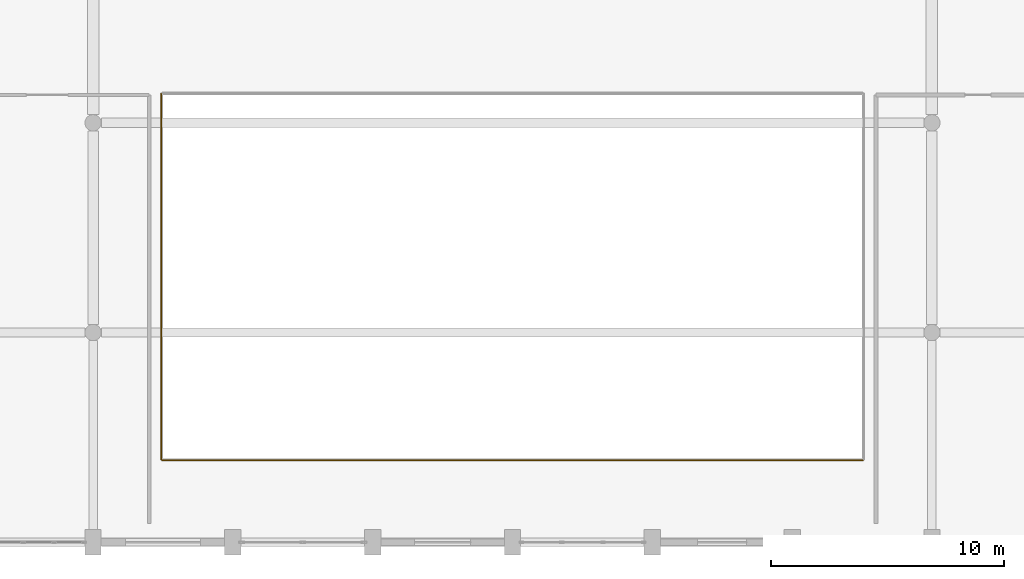
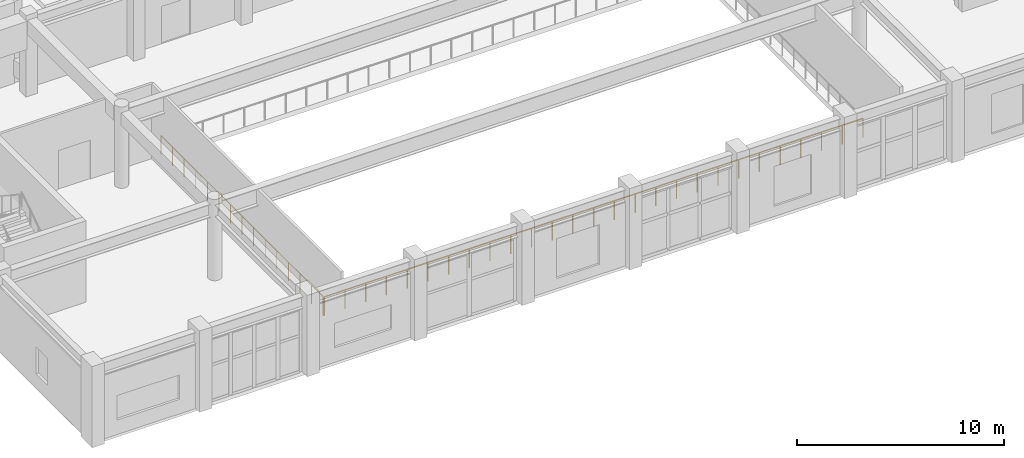
# One storey, part 74 of 85: 2 railings.
"""IFC4 building model written with IfcOpenShell, lengths in metres."""

from ifc_helpers import new_model, si_unit, direction, frame, origin, origin_2d, place, context, subcontext, project, spatial, circle, extrude, material, type_object, element, save


model = new_model("IFC4")

# Units and contexts
model_context = context("Model", 3, precision=1e-05, world=origin(), true_north=direction((0.0, 1.0)))
body_context = subcontext(model_context, "Body", "Model", "MODEL_VIEW")
ifc_project = project(units=[si_unit("LENGTHUNIT", "METRE"), si_unit("AREAUNIT", "SQUARE_METRE"), si_unit("VOLUMEUNIT", "CUBIC_METRE"), si_unit("PLANEANGLEUNIT", "RADIAN"), si_unit("MASSUNIT", "GRAM", prefix="KILO")], contexts=[model_context])

# Site, building, storey
site_placement = place(None, origin())
site = spatial("IfcSite", under=ifc_project, at=site_placement, CompositionType="ELEMENT")
building_placement = place(site_placement, origin())
building = spatial("IfcBuilding", under=site, at=building_placement, Name="Vaelkrest Opera House", CompositionType="ELEMENT")
storey_placement = place(building_placement, frame((0.0, 0.0, 10.199951171875)))
storey = spatial("IfcBuildingStorey", under=building, at=storey_placement, Name="L02", CompositionType="ELEMENT", Elevation=10.199951171875)

# Railings
ifc_material = material(Name="Dark bronze anodized aluminium", Category="aluminium")
railing_type = type_object("IfcRailingType", Name="BL01", PredefinedType="BALUSTRADE", material=ifc_material)
railing_1_placement = place(storey_placement, frame((-15.0400390625, -52.280029296875, 0.0)))
element("IfcRailing", 1, at=railing_1_placement, inside=storey, type_object=railing_type, Name="Atrium/stage void guard V1 L02-2 seg 1", PredefinedType="BALUSTRADE", context=body_context, shape_type="SweptSolid", body=[
    extrude(circle(Radius=0.02392578125, at=origin_2d()), frame((0.0, 0.0, 1.09619140625), z_axis=(1.0, 0.0, 0.0), x_axis=(0.0, 1.0, 0.0)), (0.0, 0.0, 1.0), 30.080078125),
    extrude(circle(Radius=0.02099609375, at=origin_2d()), origin(), (0.0, 0.0, 1.0), 1.072021484375),
    extrude(circle(Radius=0.02099609375, at=origin_2d()), frame((1.156982421875, 0.0, 0.0)), (0.0, 0.0, 1.0), 1.072021484375),
    extrude(circle(Radius=0.02099609375, at=origin_2d()), frame((2.31396484375, 0.0, 0.0)), (0.0, 0.0, 1.0), 1.072021484375),
    extrude(circle(Radius=0.02099609375, at=origin_2d()), frame((3.470703125, 0.0, 0.0)), (0.0, 0.0, 1.0), 1.072021484375),
    extrude(circle(Radius=0.02099609375, at=origin_2d()), frame((4.627685546875, 0.0, 0.0)), (0.0, 0.0, 1.0), 1.072021484375),
    extrude(circle(Radius=0.02099609375, at=origin_2d()), frame((5.78466796875, 0.0, 0.0)), (0.0, 0.0, 1.0), 1.072021484375),
    extrude(circle(Radius=0.02099609375, at=origin_2d()), frame((6.941650390625, 0.0, 0.0)), (0.0, 0.0, 1.0), 1.072021484375),
    extrude(circle(Radius=0.02099609375, at=origin_2d()), frame((8.098388671875, 0.0, 0.0)), (0.0, 0.0, 1.0), 1.072021484375),
    extrude(circle(Radius=0.02099609375, at=origin_2d()), frame((9.25537109375, 0.0, 0.0)), (0.0, 0.0, 1.0), 1.072021484375),
    extrude(circle(Radius=0.02099609375, at=origin_2d()), frame((10.412353515625, 0.0, 0.0)), (0.0, 0.0, 1.0), 1.072021484375),
    extrude(circle(Radius=0.02099609375, at=origin_2d()), frame((11.5693359375, 0.0, 0.0)), (0.0, 0.0, 1.0), 1.072021484375),
    extrude(circle(Radius=0.02099609375, at=origin_2d()), frame((12.72607421875, 0.0, 0.0)), (0.0, 0.0, 1.0), 1.072021484375),
    extrude(circle(Radius=0.02099609375, at=origin_2d()), frame((13.883056640625, 0.0, 0.0)), (0.0, 0.0, 1.0), 1.072021484375),
    extrude(circle(Radius=0.02099609375, at=origin_2d()), frame((15.0400390625, 0.0, 0.0)), (0.0, 0.0, 1.0), 1.072021484375),
    extrude(circle(Radius=0.02099609375, at=origin_2d()), frame((16.197021484375, 0.0, 0.0)), (0.0, 0.0, 1.0), 1.072021484375),
    extrude(circle(Radius=0.02099609375, at=origin_2d()), frame((17.35400390625, 0.0, 0.0)), (0.0, 0.0, 1.0), 1.072021484375),
    extrude(circle(Radius=0.02099609375, at=origin_2d()), frame((18.5107421875, 0.0, 0.0)), (0.0, 0.0, 1.0), 1.072021484375),
    extrude(circle(Radius=0.02099609375, at=origin_2d()), frame((19.667724609375, 0.0, 0.0)), (0.0, 0.0, 1.0), 1.072021484375),
    extrude(circle(Radius=0.02099609375, at=origin_2d()), frame((20.82470703125, 0.0, 0.0)), (0.0, 0.0, 1.0), 1.072021484375),
    extrude(circle(Radius=0.02099609375, at=origin_2d()), frame((21.981689453125, 0.0, 0.0)), (0.0, 0.0, 1.0), 1.072021484375),
    extrude(circle(Radius=0.02099609375, at=origin_2d()), frame((23.138427734375, 0.0, 0.0)), (0.0, 0.0, 1.0), 1.072021484375),
    extrude(circle(Radius=0.02099609375, at=origin_2d()), frame((24.29541015625, 0.0, 0.0)), (0.0, 0.0, 1.0), 1.072021484375),
    extrude(circle(Radius=0.02099609375, at=origin_2d()), frame((25.452392578125, 0.0, 0.0)), (0.0, 0.0, 1.0), 1.072021484375),
    extrude(circle(Radius=0.02099609375, at=origin_2d()), frame((26.609375, 0.0, 0.0)), (0.0, 0.0, 1.0), 1.072021484375),
    extrude(circle(Radius=0.02099609375, at=origin_2d()), frame((27.76611328125, 0.0, 0.0)), (0.0, 0.0, 1.0), 1.072021484375),
    extrude(circle(Radius=0.02099609375, at=origin_2d()), frame((28.923095703125, 0.0, 0.0)), (0.0, 0.0, 1.0), 1.072021484375),
    extrude(circle(Radius=0.02099609375, at=origin_2d()), frame((30.080078125, 0.0, 0.0)), (0.0, 0.0, 1.0), 1.072021484375),
])
railing_2_placement = place(storey_placement, frame((-15.080078125, -36.56005859375, 0.0)))
element("IfcRailing", 2, at=railing_2_placement, inside=storey, type_object=railing_type, Name="Atrium/stage void guard V1 L02-2 seg 4", PredefinedType="BALUSTRADE", context=body_context, shape_type="SweptSolid", body=[
    extrude(circle(Radius=0.02392578125, at=origin_2d()), frame((0.0, 0.0, 1.09619140625), z_axis=(0.0, -1.0, 0.0), x_axis=(1.0, 0.0, 0.0)), (0.0, 0.0, 1.0), 15.679931640625),
    extrude(circle(Radius=0.02099609375, at=origin_2d()), origin(), (0.0, 0.0, 1.0), 1.072021484375),
    extrude(circle(Radius=0.02099609375, at=origin_2d()), frame((0.0, -1.1201171875, 0.0)), (0.0, 0.0, 1.0), 1.072021484375),
    extrude(circle(Radius=0.02099609375, at=origin_2d()), frame((0.0, -2.239990234375, 0.0)), (0.0, 0.0, 1.0), 1.072021484375),
    extrude(circle(Radius=0.02099609375, at=origin_2d()), frame((0.0, -3.35986328125, 0.0)), (0.0, 0.0, 1.0), 1.072021484375),
    extrude(circle(Radius=0.02099609375, at=origin_2d()), frame((0.0, -4.47998046875, 0.0)), (0.0, 0.0, 1.0), 1.072021484375),
    extrude(circle(Radius=0.02099609375, at=origin_2d()), frame((0.0, -5.60009765625, 0.0)), (0.0, 0.0, 1.0), 1.072021484375),
    extrude(circle(Radius=0.02099609375, at=origin_2d()), frame((0.0, -6.719970703125, 0.0)), (0.0, 0.0, 1.0), 1.072021484375),
    extrude(circle(Radius=0.02099609375, at=origin_2d()), frame((0.0, -7.83984375, 0.0)), (0.0, 0.0, 1.0), 1.072021484375),
    extrude(circle(Radius=0.02099609375, at=origin_2d()), frame((0.0, -8.9599609375, 0.0)), (0.0, 0.0, 1.0), 1.072021484375),
    extrude(circle(Radius=0.02099609375, at=origin_2d()), frame((0.0, -10.080078125, 0.0)), (0.0, 0.0, 1.0), 1.072021484375),
    extrude(circle(Radius=0.02099609375, at=origin_2d()), frame((0.0, -11.199951171875, 0.0)), (0.0, 0.0, 1.0), 1.072021484375),
    extrude(circle(Radius=0.02099609375, at=origin_2d()), frame((0.0, -12.31982421875, 0.0)), (0.0, 0.0, 1.0), 1.072021484375),
    extrude(circle(Radius=0.02099609375, at=origin_2d()), frame((0.0, -13.43994140625, 0.0)), (0.0, 0.0, 1.0), 1.072021484375),
    extrude(circle(Radius=0.02099609375, at=origin_2d()), frame((0.0, -14.56005859375, 0.0)), (0.0, 0.0, 1.0), 1.072021484375),
    extrude(circle(Radius=0.02099609375, at=origin_2d()), frame((0.0, -15.679931640625, 0.0)), (0.0, 0.0, 1.0), 1.072021484375),
])

save(model, "model.ifc")
